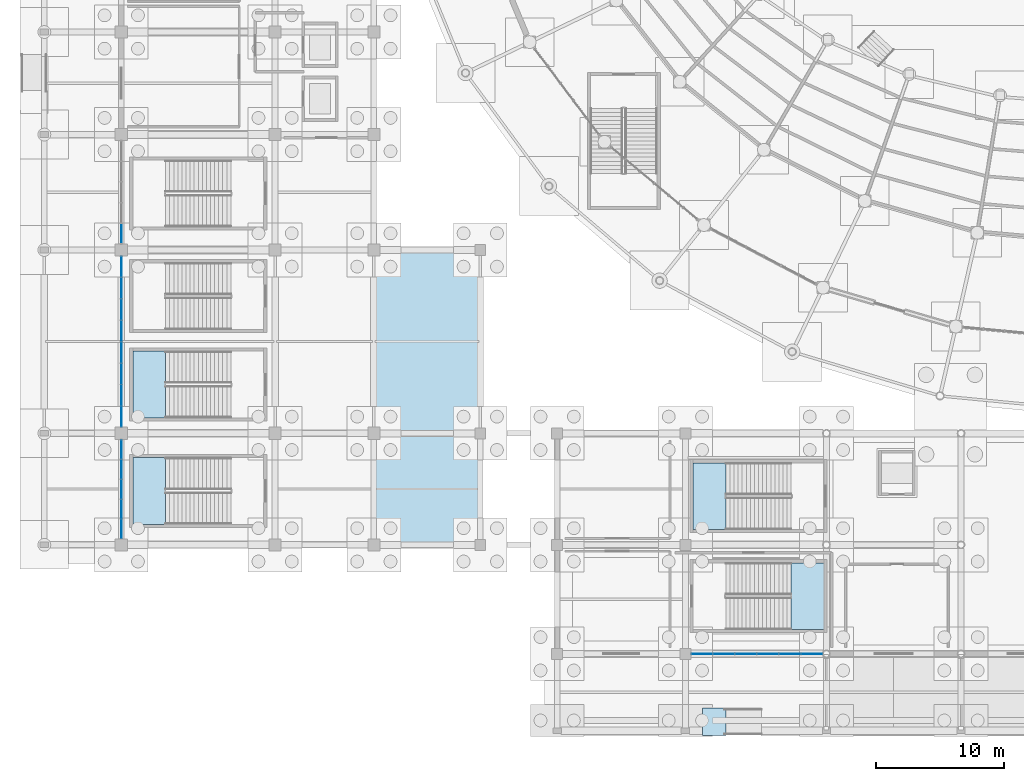
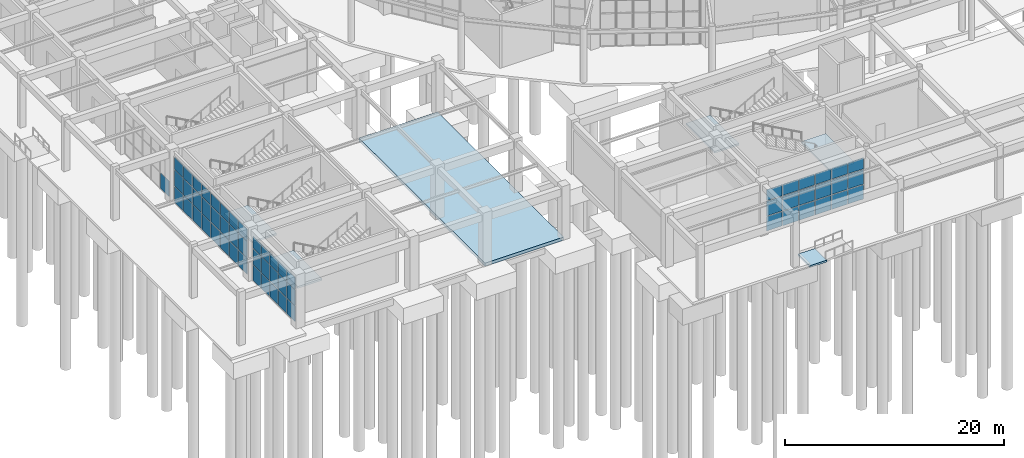
# One storey, part 63 of 121: 58 plates, 6 slabs, 9 elements without a shape of their own.
"""IFC4 building model written with IfcOpenShell, lengths in metres."""

from ifc_helpers import new_model, si_unit, direction, frame, origin, origin_2d, place, context, subcontext, project, spatial, polyline, rectangle, outline, extrude, material, layer, layer_set, type_object, element, aggregate, save


model = new_model("IFC4")

# Units and contexts
model_context = context("Model", 3, precision=1e-05, world=origin(), true_north=direction((0.0, 1.0)))
body_context = subcontext(model_context, "Body", "Model", "MODEL_VIEW")
ifc_project = project(units=[si_unit("LENGTHUNIT", "METRE"), si_unit("AREAUNIT", "SQUARE_METRE"), si_unit("VOLUMEUNIT", "CUBIC_METRE"), si_unit("PLANEANGLEUNIT", "RADIAN"), si_unit("MASSUNIT", "GRAM", prefix="KILO")], contexts=[model_context])

# Site, building, storey
site_placement = place(None, origin())
site = spatial("IfcSite", under=ifc_project, at=site_placement, CompositionType="ELEMENT")
building_placement = place(site_placement, origin())
building = spatial("IfcBuilding", under=site, at=building_placement, Name="Cuetzalor Civic Arena", CompositionType="ELEMENT")
storey_placement = place(building_placement, origin())
storey = spatial("IfcBuildingStorey", under=building, at=storey_placement, Name="L00", CompositionType="ELEMENT", Elevation=0.0)

# Curtain wall, plates
ifc_material_1 = material(Name="Anodised dark bronze aluminium and low-E solar glass", Category="aluminium")
curtain_wall_type_1 = type_object("IfcCurtainWallType", Name="UnitisedCW_7800x5050", PredefinedType="USERDEFINED", material=ifc_material_1)
curtain_wall_1_placement = place(storey_placement, origin())
curtain_wall_1 = element("IfcCurtainWall", 1, at=curtain_wall_1_placement, inside=storey, type_object=curtain_wall_type_1, Name="V4W Colonnade Curtain Wall L00-103", ObjectType="UNITISED CURTAIN WALL", PredefinedType="USERDEFINED")
ifc_material_2 = material(Name="Acoustic laminated solar control glass", Category="glass")
ifc_layer_1 = layer(ifc_material_2, 0.0439453125)
ifc_layer_set_1 = layer_set([ifc_layer_1], Name="Acoustic laminated solar control glass")
plate_type_1 = type_object("IfcPlateType", Name="AcousticTripleGlazedPanel_44", PredefinedType="CURTAIN_PANEL", material=ifc_layer_set_1)
plate_1_placement = place(storey_placement, frame((-76.0, -55.746826171875, 0.070068359375), z_axis=(0.0, 0.0, 1.0), x_axis=(0.0, 1.0, 0.0)))
plate_1 = element("IfcPlate", 2, at=plate_1_placement, type_object=plate_type_1, Name="CW-31 panel 1.1", PredefinedType="CURTAIN_PANEL", context=body_context, shape_type="SweptSolid", body=[
    extrude(rectangle(XDim=1.4521484375, YDim=0.0439453125, at=origin_2d()), origin(), (0.0, 0.0, 1.0), 1.708984375),
])
plate_2_placement = place(storey_placement, frame((-76.0, -55.746826171875, 1.848876953125), z_axis=(0.0, 0.0, 1.0), x_axis=(0.0, 1.0, 0.0)))
plate_2 = element("IfcPlate", 3, at=plate_2_placement, type_object=plate_type_1, Name="CW-31 panel 1.2", PredefinedType="CURTAIN_PANEL", context=body_context, shape_type="SweptSolid", body=[
    extrude(rectangle(XDim=1.4521484375, YDim=0.0439453125, at=origin_2d()), origin(), (0.0, 0.0, 1.0), 1.7451171875),
])
plate_3_placement = place(storey_placement, frame((-76.0, -55.746826171875, 3.6640625), z_axis=(0.0, 0.0, 1.0), x_axis=(0.0, 1.0, 0.0)))
plate_3 = element("IfcPlate", 4, at=plate_3_placement, type_object=plate_type_1, Name="CW-31 panel 1.3", PredefinedType="CURTAIN_PANEL", context=body_context, shape_type="SweptSolid", body=[
    extrude(rectangle(XDim=1.4521484375, YDim=0.0439453125, at=origin_2d()), origin(), (0.0, 0.0, 1.0), 1.305908203125),
])
plate_4_placement = place(storey_placement, frame((-76.0, -54.207275390625, 0.070068359375), z_axis=(0.0, 0.0, 1.0), x_axis=(0.0, 1.0, 0.0)))
plate_4 = element("IfcPlate", 5, at=plate_4_placement, type_object=plate_type_1, Name="CW-31 panel 2.1", PredefinedType="CURTAIN_PANEL", context=body_context, shape_type="SweptSolid", body=[
    extrude(rectangle(XDim=1.4873046875, YDim=0.0439453125, at=origin_2d()), origin(), (0.0, 0.0, 1.0), 1.708984375),
])
plate_5_placement = place(storey_placement, frame((-76.0, -54.207275390625, 1.848876953125), z_axis=(0.0, 0.0, 1.0), x_axis=(0.0, 1.0, 0.0)))
plate_5 = element("IfcPlate", 6, at=plate_5_placement, type_object=plate_type_1, Name="CW-31 panel 2.2", PredefinedType="CURTAIN_PANEL", context=body_context, shape_type="SweptSolid", body=[
    extrude(rectangle(XDim=1.4873046875, YDim=0.0439453125, at=origin_2d()), origin(), (0.0, 0.0, 1.0), 1.7451171875),
])
plate_6_placement = place(storey_placement, frame((-76.0, -54.207275390625, 3.6640625), z_axis=(0.0, 0.0, 1.0), x_axis=(0.0, 1.0, 0.0)))
plate_6 = element("IfcPlate", 7, at=plate_6_placement, type_object=plate_type_1, Name="CW-31 panel 2.3", PredefinedType="CURTAIN_PANEL", context=body_context, shape_type="SweptSolid", body=[
    extrude(rectangle(XDim=1.4873046875, YDim=0.0439453125, at=origin_2d()), origin(), (0.0, 0.0, 1.0), 1.305908203125),
])
plate_7_placement = place(storey_placement, frame((-76.0, -52.64990234375, 0.070068359375), z_axis=(0.0, 0.0, 1.0), x_axis=(0.0, 1.0, 0.0)))
plate_7 = element("IfcPlate", 8, at=plate_7_placement, type_object=plate_type_1, Name="CW-31 panel 3.1", PredefinedType="CURTAIN_PANEL", context=body_context, shape_type="SweptSolid", body=[
    extrude(rectangle(XDim=1.4873046875, YDim=0.0439453125, at=origin_2d()), origin(), (0.0, 0.0, 1.0), 1.708984375),
])
plate_8_placement = place(storey_placement, frame((-76.0, -52.64990234375, 1.848876953125), z_axis=(0.0, 0.0, 1.0), x_axis=(0.0, 1.0, 0.0)))
plate_8 = element("IfcPlate", 9, at=plate_8_placement, type_object=plate_type_1, Name="CW-31 panel 3.2", PredefinedType="CURTAIN_PANEL", context=body_context, shape_type="SweptSolid", body=[
    extrude(rectangle(XDim=1.4873046875, YDim=0.0439453125, at=origin_2d()), origin(), (0.0, 0.0, 1.0), 1.7451171875),
])
plate_9_placement = place(storey_placement, frame((-76.0, -52.64990234375, 3.6640625), z_axis=(0.0, 0.0, 1.0), x_axis=(0.0, 1.0, 0.0)))
plate_9 = element("IfcPlate", 10, at=plate_9_placement, type_object=plate_type_1, Name="CW-31 panel 3.3", PredefinedType="CURTAIN_PANEL", context=body_context, shape_type="SweptSolid", body=[
    extrude(rectangle(XDim=1.4873046875, YDim=0.0439453125, at=origin_2d()), origin(), (0.0, 0.0, 1.0), 1.305908203125),
])
plate_10_placement = place(storey_placement, frame((-76.0, -51.0927734375, 0.070068359375), z_axis=(0.0, 0.0, 1.0), x_axis=(0.0, 1.0, 0.0)))
plate_10 = element("IfcPlate", 11, at=plate_10_placement, type_object=plate_type_1, Name="CW-31 panel 4.1", PredefinedType="CURTAIN_PANEL", context=body_context, shape_type="SweptSolid", body=[
    extrude(rectangle(XDim=1.4873046875, YDim=0.0439453125, at=origin_2d()), origin(), (0.0, 0.0, 1.0), 1.708984375),
])
plate_11_placement = place(storey_placement, frame((-76.0, -51.0927734375, 1.848876953125), z_axis=(0.0, 0.0, 1.0), x_axis=(0.0, 1.0, 0.0)))
plate_11 = element("IfcPlate", 12, at=plate_11_placement, type_object=plate_type_1, Name="CW-31 panel 4.2", PredefinedType="CURTAIN_PANEL", context=body_context, shape_type="SweptSolid", body=[
    extrude(rectangle(XDim=1.4873046875, YDim=0.0439453125, at=origin_2d()), origin(), (0.0, 0.0, 1.0), 1.7451171875),
])
plate_12_placement = place(storey_placement, frame((-76.0, -51.0927734375, 3.6640625), z_axis=(0.0, 0.0, 1.0), x_axis=(0.0, 1.0, 0.0)))
plate_12 = element("IfcPlate", 13, at=plate_12_placement, type_object=plate_type_1, Name="CW-31 panel 4.3", PredefinedType="CURTAIN_PANEL", context=body_context, shape_type="SweptSolid", body=[
    extrude(rectangle(XDim=1.4873046875, YDim=0.0439453125, at=origin_2d()), origin(), (0.0, 0.0, 1.0), 1.305908203125),
])
plate_13_placement = place(storey_placement, frame((-76.0, -49.552978515625, 0.070068359375), z_axis=(0.0, 0.0, 1.0), x_axis=(0.0, 1.0, 0.0)))
plate_13 = element("IfcPlate", 14, at=plate_13_placement, type_object=plate_type_1, Name="CW-31 panel 5.1", PredefinedType="CURTAIN_PANEL", context=body_context, shape_type="SweptSolid", body=[
    extrude(rectangle(XDim=1.4521484375, YDim=0.0439453125, at=origin_2d()), origin(), (0.0, 0.0, 1.0), 1.708984375),
])
plate_14_placement = place(storey_placement, frame((-76.0, -49.552978515625, 1.848876953125), z_axis=(0.0, 0.0, 1.0), x_axis=(0.0, 1.0, 0.0)))
plate_14 = element("IfcPlate", 15, at=plate_14_placement, type_object=plate_type_1, Name="CW-31 panel 5.2", PredefinedType="CURTAIN_PANEL", context=body_context, shape_type="SweptSolid", body=[
    extrude(rectangle(XDim=1.4521484375, YDim=0.0439453125, at=origin_2d()), origin(), (0.0, 0.0, 1.0), 1.7451171875),
])
plate_15_placement = place(storey_placement, frame((-76.0, -49.552978515625, 3.6640625), z_axis=(0.0, 0.0, 1.0), x_axis=(0.0, 1.0, 0.0)))
plate_15 = element("IfcPlate", 16, at=plate_15_placement, type_object=plate_type_1, Name="CW-31 panel 5.3", PredefinedType="CURTAIN_PANEL", context=body_context, shape_type="SweptSolid", body=[
    extrude(rectangle(XDim=1.4521484375, YDim=0.0439453125, at=origin_2d()), origin(), (0.0, 0.0, 1.0), 1.305908203125),
])
aggregate(curtain_wall_1, [plate_1, plate_2, plate_3, plate_4, plate_5, plate_6, plate_7, plate_8, plate_9, plate_10, plate_11, plate_12, plate_13, plate_14, plate_15])

ifc_material_3 = material(Name="Anodised dark bronze aluminium and low-E solar glass", Category="aluminium")
curtain_wall_type_2 = type_object("IfcCurtainWallType", Name="UnitisedCW_13400x5150", PredefinedType="USERDEFINED", material=ifc_material_3)
curtain_wall_2_placement = place(storey_placement, origin())
curtain_wall_2 = element("IfcCurtainWall", 17, at=curtain_wall_2_placement, inside=storey, type_object=curtain_wall_type_2, Name="V4W Colonnade Curtain Wall L00-104", ObjectType="UNITISED CURTAIN WALL", PredefinedType="USERDEFINED")
plate_16_placement = place(storey_placement, frame((-76.0, -46.98876953125, 0.070068359375), z_axis=(0.0, 0.0, 1.0), x_axis=(0.0, 1.0, 0.0)))
plate_16 = element("IfcPlate", 18, at=plate_16_placement, type_object=plate_type_1, Name="CW-32 panel 1.1", PredefinedType="CURTAIN_PANEL", context=body_context, shape_type="SweptSolid", body=[
    extrude(rectangle(XDim=1.568359375, YDim=0.0439453125, at=origin_2d()), origin(), (0.0, 0.0, 1.0), 1.751953125),
])
plate_17_placement = place(storey_placement, frame((-76.0, -46.98876953125, 1.89208984375), z_axis=(0.0, 0.0, 1.0), x_axis=(0.0, 1.0, 0.0)))
plate_17 = element("IfcPlate", 19, at=plate_17_placement, type_object=plate_type_1, Name="CW-32 panel 1.2", PredefinedType="CURTAIN_PANEL", context=body_context, shape_type="SweptSolid", body=[
    extrude(rectangle(XDim=1.568359375, YDim=0.0439453125, at=origin_2d()), origin(), (0.0, 0.0, 1.0), 1.785888671875),
])
plate_18_placement = place(storey_placement, frame((-76.0, -46.98876953125, 3.748046875), z_axis=(0.0, 0.0, 1.0), x_axis=(0.0, 1.0, 0.0)))
plate_18 = element("IfcPlate", 20, at=plate_18_placement, type_object=plate_type_1, Name="CW-32 panel 1.3", PredefinedType="CURTAIN_PANEL", context=body_context, shape_type="SweptSolid", body=[
    extrude(rectangle(XDim=1.568359375, YDim=0.0439453125, at=origin_2d()), origin(), (0.0, 0.0, 1.0), 1.339111328125),
])
plate_19_placement = place(storey_placement, frame((-76.0, -45.3330078125, 0.070068359375), z_axis=(0.0, 0.0, 1.0), x_axis=(0.0, 1.0, 0.0)))
plate_19 = element("IfcPlate", 21, at=plate_19_placement, type_object=plate_type_1, Name="CW-32 panel 2.1", PredefinedType="CURTAIN_PANEL", context=body_context, shape_type="SweptSolid", body=[
    extrude(rectangle(XDim=1.603271484375, YDim=0.0439453125, at=origin_2d()), origin(), (0.0, 0.0, 1.0), 1.751953125),
])
plate_20_placement = place(storey_placement, frame((-76.0, -45.3330078125, 1.89208984375), z_axis=(0.0, 0.0, 1.0), x_axis=(0.0, 1.0, 0.0)))
plate_20 = element("IfcPlate", 22, at=plate_20_placement, type_object=plate_type_1, Name="CW-32 panel 2.2", PredefinedType="CURTAIN_PANEL", context=body_context, shape_type="SweptSolid", body=[
    extrude(rectangle(XDim=1.603271484375, YDim=0.0439453125, at=origin_2d()), origin(), (0.0, 0.0, 1.0), 1.785888671875),
])
plate_21_placement = place(storey_placement, frame((-76.0, -45.3330078125, 3.748046875), z_axis=(0.0, 0.0, 1.0), x_axis=(0.0, 1.0, 0.0)))
plate_21 = element("IfcPlate", 23, at=plate_21_placement, type_object=plate_type_1, Name="CW-32 panel 2.3", PredefinedType="CURTAIN_PANEL", context=body_context, shape_type="SweptSolid", body=[
    extrude(rectangle(XDim=1.603271484375, YDim=0.0439453125, at=origin_2d()), origin(), (0.0, 0.0, 1.0), 1.339111328125),
])
plate_22_placement = place(storey_placement, frame((-76.0, -43.659912109375, 0.070068359375), z_axis=(0.0, 0.0, 1.0), x_axis=(0.0, 1.0, 0.0)))
plate_22 = element("IfcPlate", 24, at=plate_22_placement, type_object=plate_type_1, Name="CW-32 panel 3.1", PredefinedType="CURTAIN_PANEL", context=body_context, shape_type="SweptSolid", body=[
    extrude(rectangle(XDim=1.603271484375, YDim=0.0439453125, at=origin_2d()), origin(), (0.0, 0.0, 1.0), 1.751953125),
])
plate_23_placement = place(storey_placement, frame((-76.0, -43.659912109375, 1.89208984375), z_axis=(0.0, 0.0, 1.0), x_axis=(0.0, 1.0, 0.0)))
plate_23 = element("IfcPlate", 25, at=plate_23_placement, type_object=plate_type_1, Name="CW-32 panel 3.2", PredefinedType="CURTAIN_PANEL", context=body_context, shape_type="SweptSolid", body=[
    extrude(rectangle(XDim=1.603271484375, YDim=0.0439453125, at=origin_2d()), origin(), (0.0, 0.0, 1.0), 1.785888671875),
])
plate_24_placement = place(storey_placement, frame((-76.0, -43.659912109375, 3.748046875), z_axis=(0.0, 0.0, 1.0), x_axis=(0.0, 1.0, 0.0)))
plate_24 = element("IfcPlate", 26, at=plate_24_placement, type_object=plate_type_1, Name="CW-32 panel 3.3", PredefinedType="CURTAIN_PANEL", context=body_context, shape_type="SweptSolid", body=[
    extrude(rectangle(XDim=1.603271484375, YDim=0.0439453125, at=origin_2d()), origin(), (0.0, 0.0, 1.0), 1.339111328125),
])
plate_25_placement = place(storey_placement, frame((-76.0, -41.986572265625, 0.070068359375), z_axis=(0.0, 0.0, 1.0), x_axis=(0.0, 1.0, 0.0)))
plate_25 = element("IfcPlate", 27, at=plate_25_placement, type_object=plate_type_1, Name="CW-32 panel 4.1", PredefinedType="CURTAIN_PANEL", context=body_context, shape_type="SweptSolid", body=[
    extrude(rectangle(XDim=1.603271484375, YDim=0.0439453125, at=origin_2d()), origin(), (0.0, 0.0, 1.0), 1.751953125),
])
plate_26_placement = place(storey_placement, frame((-76.0, -41.986572265625, 1.89208984375), z_axis=(0.0, 0.0, 1.0), x_axis=(0.0, 1.0, 0.0)))
plate_26 = element("IfcPlate", 28, at=plate_26_placement, type_object=plate_type_1, Name="CW-32 panel 4.2", PredefinedType="CURTAIN_PANEL", context=body_context, shape_type="SweptSolid", body=[
    extrude(rectangle(XDim=1.603271484375, YDim=0.0439453125, at=origin_2d()), origin(), (0.0, 0.0, 1.0), 1.785888671875),
])
plate_27_placement = place(storey_placement, frame((-76.0, -41.986572265625, 3.748046875), z_axis=(0.0, 0.0, 1.0), x_axis=(0.0, 1.0, 0.0)))
plate_27 = element("IfcPlate", 29, at=plate_27_placement, type_object=plate_type_1, Name="CW-32 panel 4.3", PredefinedType="CURTAIN_PANEL", context=body_context, shape_type="SweptSolid", body=[
    extrude(rectangle(XDim=1.603271484375, YDim=0.0439453125, at=origin_2d()), origin(), (0.0, 0.0, 1.0), 1.339111328125),
])
plate_28_placement = place(storey_placement, frame((-76.0, -40.3134765625, 0.070068359375), z_axis=(0.0, 0.0, 1.0), x_axis=(0.0, 1.0, 0.0)))
plate_28 = element("IfcPlate", 30, at=plate_28_placement, type_object=plate_type_1, Name="CW-32 panel 5.1", PredefinedType="CURTAIN_PANEL", context=body_context, shape_type="SweptSolid", body=[
    extrude(rectangle(XDim=1.603271484375, YDim=0.0439453125, at=origin_2d()), origin(), (0.0, 0.0, 1.0), 1.751953125),
])
plate_29_placement = place(storey_placement, frame((-76.0, -40.3134765625, 1.89208984375), z_axis=(0.0, 0.0, 1.0), x_axis=(0.0, 1.0, 0.0)))
plate_29 = element("IfcPlate", 31, at=plate_29_placement, type_object=plate_type_1, Name="CW-32 panel 5.2", PredefinedType="CURTAIN_PANEL", context=body_context, shape_type="SweptSolid", body=[
    extrude(rectangle(XDim=1.603271484375, YDim=0.0439453125, at=origin_2d()), origin(), (0.0, 0.0, 1.0), 1.785888671875),
])
plate_30_placement = place(storey_placement, frame((-76.0, -40.3134765625, 3.748046875), z_axis=(0.0, 0.0, 1.0), x_axis=(0.0, 1.0, 0.0)))
plate_30 = element("IfcPlate", 32, at=plate_30_placement, type_object=plate_type_1, Name="CW-32 panel 5.3", PredefinedType="CURTAIN_PANEL", context=body_context, shape_type="SweptSolid", body=[
    extrude(rectangle(XDim=1.603271484375, YDim=0.0439453125, at=origin_2d()), origin(), (0.0, 0.0, 1.0), 1.339111328125),
])
plate_31_placement = place(storey_placement, frame((-76.0, -38.64013671875, 0.070068359375), z_axis=(0.0, 0.0, 1.0), x_axis=(0.0, 1.0, 0.0)))
plate_31 = element("IfcPlate", 33, at=plate_31_placement, type_object=plate_type_1, Name="CW-32 panel 6.1", PredefinedType="CURTAIN_PANEL", context=body_context, shape_type="SweptSolid", body=[
    extrude(rectangle(XDim=1.603271484375, YDim=0.0439453125, at=origin_2d()), origin(), (0.0, 0.0, 1.0), 1.751953125),
])
plate_32_placement = place(storey_placement, frame((-76.0, -38.64013671875, 1.89208984375), z_axis=(0.0, 0.0, 1.0), x_axis=(0.0, 1.0, 0.0)))
plate_32 = element("IfcPlate", 34, at=plate_32_placement, type_object=plate_type_1, Name="CW-32 panel 6.2", PredefinedType="CURTAIN_PANEL", context=body_context, shape_type="SweptSolid", body=[
    extrude(rectangle(XDim=1.603271484375, YDim=0.0439453125, at=origin_2d()), origin(), (0.0, 0.0, 1.0), 1.785888671875),
])
plate_33_placement = place(storey_placement, frame((-76.0, -38.64013671875, 3.748046875), z_axis=(0.0, 0.0, 1.0), x_axis=(0.0, 1.0, 0.0)))
plate_33 = element("IfcPlate", 35, at=plate_33_placement, type_object=plate_type_1, Name="CW-32 panel 6.3", PredefinedType="CURTAIN_PANEL", context=body_context, shape_type="SweptSolid", body=[
    extrude(rectangle(XDim=1.603271484375, YDim=0.0439453125, at=origin_2d()), origin(), (0.0, 0.0, 1.0), 1.339111328125),
])
plate_34_placement = place(storey_placement, frame((-76.0, -36.966796875, 0.070068359375), z_axis=(0.0, 0.0, 1.0), x_axis=(0.0, 1.0, 0.0)))
plate_34 = element("IfcPlate", 36, at=plate_34_placement, type_object=plate_type_1, Name="CW-32 panel 7.1", PredefinedType="CURTAIN_PANEL", context=body_context, shape_type="SweptSolid", body=[
    extrude(rectangle(XDim=1.603271484375, YDim=0.0439453125, at=origin_2d()), origin(), (0.0, 0.0, 1.0), 1.751953125),
])
plate_35_placement = place(storey_placement, frame((-76.0, -36.966796875, 1.89208984375), z_axis=(0.0, 0.0, 1.0), x_axis=(0.0, 1.0, 0.0)))
plate_35 = element("IfcPlate", 37, at=plate_35_placement, type_object=plate_type_1, Name="CW-32 panel 7.2", PredefinedType="CURTAIN_PANEL", context=body_context, shape_type="SweptSolid", body=[
    extrude(rectangle(XDim=1.603271484375, YDim=0.0439453125, at=origin_2d()), origin(), (0.0, 0.0, 1.0), 1.785888671875),
])
plate_36_placement = place(storey_placement, frame((-76.0, -36.966796875, 3.748046875), z_axis=(0.0, 0.0, 1.0), x_axis=(0.0, 1.0, 0.0)))
plate_36 = element("IfcPlate", 38, at=plate_36_placement, type_object=plate_type_1, Name="CW-32 panel 7.3", PredefinedType="CURTAIN_PANEL", context=body_context, shape_type="SweptSolid", body=[
    extrude(rectangle(XDim=1.603271484375, YDim=0.0439453125, at=origin_2d()), origin(), (0.0, 0.0, 1.0), 1.339111328125),
])
plate_37_placement = place(storey_placement, frame((-76.0, -35.31103515625, 0.070068359375), z_axis=(0.0, 0.0, 1.0), x_axis=(0.0, 1.0, 0.0)))
plate_37 = element("IfcPlate", 39, at=plate_37_placement, type_object=plate_type_1, Name="CW-32 panel 8.1", PredefinedType="CURTAIN_PANEL", context=body_context, shape_type="SweptSolid", body=[
    extrude(rectangle(XDim=1.568359375, YDim=0.0439453125, at=origin_2d()), origin(), (0.0, 0.0, 1.0), 1.751953125),
])
plate_38_placement = place(storey_placement, frame((-76.0, -35.31103515625, 1.89208984375), z_axis=(0.0, 0.0, 1.0), x_axis=(0.0, 1.0, 0.0)))
plate_38 = element("IfcPlate", 40, at=plate_38_placement, type_object=plate_type_1, Name="CW-32 panel 8.2", PredefinedType="CURTAIN_PANEL", context=body_context, shape_type="SweptSolid", body=[
    extrude(rectangle(XDim=1.568359375, YDim=0.0439453125, at=origin_2d()), origin(), (0.0, 0.0, 1.0), 1.785888671875),
])
plate_39_placement = place(storey_placement, frame((-76.0, -35.31103515625, 3.748046875), z_axis=(0.0, 0.0, 1.0), x_axis=(0.0, 1.0, 0.0)))
plate_39 = element("IfcPlate", 41, at=plate_39_placement, type_object=plate_type_1, Name="CW-32 panel 8.3", PredefinedType="CURTAIN_PANEL", context=body_context, shape_type="SweptSolid", body=[
    extrude(rectangle(XDim=1.568359375, YDim=0.0439453125, at=origin_2d()), origin(), (0.0, 0.0, 1.0), 1.339111328125),
])
aggregate(curtain_wall_2, [plate_16, plate_17, plate_18, plate_19, plate_20, plate_21, plate_22, plate_23, plate_24, plate_25, plate_26, plate_27, plate_28, plate_29, plate_30, plate_31, plate_32, plate_33, plate_34, plate_35, plate_36, plate_37, plate_38, plate_39])

# Curtain wall, plate
ifc_material_4 = material(Name="Anodised dark bronze aluminium and low-E solar glass", Category="aluminium")
curtain_wall_type_3 = type_object("IfcCurtainWallType", Name="UnitisedCW_8100x5050", PredefinedType="USERDEFINED", material=ifc_material_4)
curtain_wall_3_placement = place(storey_placement, origin())
curtain_wall_3 = element("IfcCurtainWall", 42, at=curtain_wall_3_placement, inside=storey, type_object=curtain_wall_type_3, Name="V4W Colonnade Curtain Wall L00-105", ObjectType="UNITISED CURTAIN WALL", PredefinedType="USERDEFINED")
plate_40_placement = place(storey_placement, frame((-76.0, -32.716796875, 0.070068359375), z_axis=(0.0, 0.0, 1.0), x_axis=(0.0, 1.0, 0.0)))
plate_40 = element("IfcPlate", 43, at=plate_40_placement, type_object=plate_type_1, Name="CW-33 panel 1.1", PredefinedType="CURTAIN_PANEL", context=body_context, shape_type="SweptSolid", body=[
    extrude(rectangle(XDim=1.51220703125, YDim=0.0439453125, at=origin_2d()), origin(), (0.0, 0.0, 1.0), 1.708984375),
])
aggregate(curtain_wall_3, [plate_40])

# Slab
ifc_material_5 = material(Name="Concrete C35/45", Category="concrete")
ifc_layer_2 = layer(ifc_material_5, 0.35009765625)
ifc_layer_set_2 = layer_set([ifc_layer_2], Name="Concrete C35/45")
slab_type_1 = type_object("IfcSlabType", Name="GroundBaseSlab_350", PredefinedType="BASESLAB", material=ifc_layer_set_2)
slab_1_placement = place(storey_placement, frame((0.0, 0.0, -0.35009765625)))
element("IfcSlab", 44, at=slab_1_placement, inside=storey, type_object=slab_type_1, Name="V4W South Return Ground Base Slab", PredefinedType="BASESLAB", context=body_context, shape_type="SweptSolid", body=[
    extrude(outline(polyline([(-56.300048828125, -57.0), (-48.0, -57.0), (-48.0, -34.0), (-56.300048828125, -34.0), (-56.300048828125, -57.0)])), origin(), (0.0, 0.0, 1.0), 0.35009765625),
])

# Curtain wall, plates
ifc_material_6 = material(Name="Anodised dark bronze aluminium and low-E solar glass", Category="aluminium")
curtain_wall_type_4 = type_object("IfcCurtainWallType", Name="StickCW_10350x4750", PredefinedType="USERDEFINED", material=ifc_material_6)
curtain_wall_4_placement = place(storey_placement, origin())
curtain_wall_4 = element("IfcCurtainWall", 45, at=curtain_wall_4_placement, inside=storey, type_object=curtain_wall_type_4, Name="South Foyer Arcade Curtain Wall L00-081", ObjectType="STICK CURTAIN WALL", PredefinedType="USERDEFINED")
ifc_material_7 = material(Name="Low-E laminated solar control glass", Category="glass")
ifc_layer_3 = layer(ifc_material_7, 0.031982421875)
ifc_layer_set_3 = layer_set([ifc_layer_3], Name="Low-E laminated solar control glass")
plate_type_2 = type_object("IfcPlateType", Name="SolarControlGlazedPanel_32", PredefinedType="CURTAIN_PANEL", material=ifc_layer_set_3)
plate_41_placement = place(storey_placement, frame((-22.139892578125, -65.5, 0.070068359375), z_axis=(0.0, 0.0, 1.0), x_axis=(-1.0, 0.0, 0.0)))
plate_41 = element("IfcPlate", 46, at=plate_41_placement, type_object=plate_type_2, Name="CW-24 panel 1.1", PredefinedType="CURTAIN_PANEL", context=body_context, shape_type="SweptSolid", body=[
    extrude(rectangle(XDim=1.616943359375, YDim=0.031982421875, at=origin_2d()), origin(), (0.0, 0.0, 1.0), 1.60107421875),
])
plate_42_placement = place(storey_placement, frame((-22.139892578125, -65.5, 1.7412109375), z_axis=(0.0, 0.0, 1.0), x_axis=(-1.0, 0.0, 0.0)))
plate_42 = element("IfcPlate", 47, at=plate_42_placement, type_object=plate_type_2, Name="CW-24 panel 1.2", PredefinedType="CURTAIN_PANEL", context=body_context, shape_type="SweptSolid", body=[
    extrude(rectangle(XDim=1.616943359375, YDim=0.031982421875, at=origin_2d()), origin(), (0.0, 0.0, 1.0), 1.636962890625),
])
plate_43_placement = place(storey_placement, frame((-22.139892578125, -65.5, 3.4482421875), z_axis=(0.0, 0.0, 1.0), x_axis=(-1.0, 0.0, 0.0)))
plate_43 = element("IfcPlate", 48, at=plate_43_placement, type_object=plate_type_2, Name="CW-24 panel 1.3", PredefinedType="CURTAIN_PANEL", context=body_context, shape_type="SweptSolid", body=[
    extrude(rectangle(XDim=1.616943359375, YDim=0.031982421875, at=origin_2d()), origin(), (0.0, 0.0, 1.0), 1.221923828125),
])
plate_44_placement = place(storey_placement, frame((-23.844482421875, -65.5, 0.070068359375), z_axis=(0.0, 0.0, 1.0), x_axis=(-1.0, 0.0, 0.0)))
plate_44 = element("IfcPlate", 49, at=plate_44_placement, type_object=plate_type_2, Name="CW-24 panel 2.1", PredefinedType="CURTAIN_PANEL", context=body_context, shape_type="SweptSolid", body=[
    extrude(rectangle(XDim=1.65185546875, YDim=0.031982421875, at=origin_2d()), origin(), (0.0, 0.0, 1.0), 1.60107421875),
])
plate_45_placement = place(storey_placement, frame((-23.844482421875, -65.5, 1.7412109375), z_axis=(0.0, 0.0, 1.0), x_axis=(-1.0, 0.0, 0.0)))
plate_45 = element("IfcPlate", 50, at=plate_45_placement, type_object=plate_type_2, Name="CW-24 panel 2.2", PredefinedType="CURTAIN_PANEL", context=body_context, shape_type="SweptSolid", body=[
    extrude(rectangle(XDim=1.65185546875, YDim=0.031982421875, at=origin_2d()), origin(), (0.0, 0.0, 1.0), 1.636962890625),
])
plate_46_placement = place(storey_placement, frame((-23.844482421875, -65.5, 3.4482421875), z_axis=(0.0, 0.0, 1.0), x_axis=(-1.0, 0.0, 0.0)))
plate_46 = element("IfcPlate", 51, at=plate_46_placement, type_object=plate_type_2, Name="CW-24 panel 2.3", PredefinedType="CURTAIN_PANEL", context=body_context, shape_type="SweptSolid", body=[
    extrude(rectangle(XDim=1.65185546875, YDim=0.031982421875, at=origin_2d()), origin(), (0.0, 0.0, 1.0), 1.221923828125),
])
plate_47_placement = place(storey_placement, frame((-25.56640625, -65.5, 0.070068359375), z_axis=(0.0, 0.0, 1.0), x_axis=(-1.0, 0.0, 0.0)))
plate_47 = element("IfcPlate", 52, at=plate_47_placement, type_object=plate_type_2, Name="CW-24 panel 3.1", PredefinedType="CURTAIN_PANEL", context=body_context, shape_type="SweptSolid", body=[
    extrude(rectangle(XDim=1.65185546875, YDim=0.031982421875, at=origin_2d()), origin(), (0.0, 0.0, 1.0), 1.60107421875),
])
plate_48_placement = place(storey_placement, frame((-25.56640625, -65.5, 1.7412109375), z_axis=(0.0, 0.0, 1.0), x_axis=(-1.0, 0.0, 0.0)))
plate_48 = element("IfcPlate", 53, at=plate_48_placement, type_object=plate_type_2, Name="CW-24 panel 3.2", PredefinedType="CURTAIN_PANEL", context=body_context, shape_type="SweptSolid", body=[
    extrude(rectangle(XDim=1.65185546875, YDim=0.031982421875, at=origin_2d()), origin(), (0.0, 0.0, 1.0), 1.636962890625),
])
plate_49_placement = place(storey_placement, frame((-25.56640625, -65.5, 3.4482421875), z_axis=(0.0, 0.0, 1.0), x_axis=(-1.0, 0.0, 0.0)))
plate_49 = element("IfcPlate", 54, at=plate_49_placement, type_object=plate_type_2, Name="CW-24 panel 3.3", PredefinedType="CURTAIN_PANEL", context=body_context, shape_type="SweptSolid", body=[
    extrude(rectangle(XDim=1.65185546875, YDim=0.031982421875, at=origin_2d()), origin(), (0.0, 0.0, 1.0), 1.221923828125),
])
plate_50_placement = place(storey_placement, frame((-27.288330078125, -65.5, 0.070068359375), z_axis=(0.0, 0.0, 1.0), x_axis=(-1.0, 0.0, 0.0)))
plate_50 = element("IfcPlate", 55, at=plate_50_placement, type_object=plate_type_2, Name="CW-24 panel 4.1", PredefinedType="CURTAIN_PANEL", context=body_context, shape_type="SweptSolid", body=[
    extrude(rectangle(XDim=1.65185546875, YDim=0.031982421875, at=origin_2d()), origin(), (0.0, 0.0, 1.0), 1.60107421875),
])
plate_51_placement = place(storey_placement, frame((-27.288330078125, -65.5, 1.7412109375), z_axis=(0.0, 0.0, 1.0), x_axis=(-1.0, 0.0, 0.0)))
plate_51 = element("IfcPlate", 56, at=plate_51_placement, type_object=plate_type_2, Name="CW-24 panel 4.2", PredefinedType="CURTAIN_PANEL", context=body_context, shape_type="SweptSolid", body=[
    extrude(rectangle(XDim=1.65185546875, YDim=0.031982421875, at=origin_2d()), origin(), (0.0, 0.0, 1.0), 1.636962890625),
])
plate_52_placement = place(storey_placement, frame((-27.288330078125, -65.5, 3.4482421875), z_axis=(0.0, 0.0, 1.0), x_axis=(-1.0, 0.0, 0.0)))
plate_52 = element("IfcPlate", 57, at=plate_52_placement, type_object=plate_type_2, Name="CW-24 panel 4.3", PredefinedType="CURTAIN_PANEL", context=body_context, shape_type="SweptSolid", body=[
    extrude(rectangle(XDim=1.65185546875, YDim=0.031982421875, at=origin_2d()), origin(), (0.0, 0.0, 1.0), 1.221923828125),
])
plate_53_placement = place(storey_placement, frame((-29.010009765625, -65.5, 0.070068359375), z_axis=(0.0, 0.0, 1.0), x_axis=(-1.0, 0.0, 0.0)))
plate_53 = element("IfcPlate", 58, at=plate_53_placement, type_object=plate_type_2, Name="CW-24 panel 5.1", PredefinedType="CURTAIN_PANEL", context=body_context, shape_type="SweptSolid", body=[
    extrude(rectangle(XDim=1.65185546875, YDim=0.031982421875, at=origin_2d()), origin(), (0.0, 0.0, 1.0), 1.60107421875),
])
plate_54_placement = place(storey_placement, frame((-29.010009765625, -65.5, 1.7412109375), z_axis=(0.0, 0.0, 1.0), x_axis=(-1.0, 0.0, 0.0)))
plate_54 = element("IfcPlate", 59, at=plate_54_placement, type_object=plate_type_2, Name="CW-24 panel 5.2", PredefinedType="CURTAIN_PANEL", context=body_context, shape_type="SweptSolid", body=[
    extrude(rectangle(XDim=1.65185546875, YDim=0.031982421875, at=origin_2d()), origin(), (0.0, 0.0, 1.0), 1.636962890625),
])
plate_55_placement = place(storey_placement, frame((-29.010009765625, -65.5, 3.4482421875), z_axis=(0.0, 0.0, 1.0), x_axis=(-1.0, 0.0, 0.0)))
plate_55 = element("IfcPlate", 60, at=plate_55_placement, type_object=plate_type_2, Name="CW-24 panel 5.3", PredefinedType="CURTAIN_PANEL", context=body_context, shape_type="SweptSolid", body=[
    extrude(rectangle(XDim=1.65185546875, YDim=0.031982421875, at=origin_2d()), origin(), (0.0, 0.0, 1.0), 1.221923828125),
])
plate_56_placement = place(storey_placement, frame((-30.714599609375, -65.5, 0.070068359375), z_axis=(0.0, 0.0, 1.0), x_axis=(-1.0, 0.0, 0.0)))
plate_56 = element("IfcPlate", 61, at=plate_56_placement, type_object=plate_type_2, Name="CW-24 panel 6.1", PredefinedType="CURTAIN_PANEL", context=body_context, shape_type="SweptSolid", body=[
    extrude(rectangle(XDim=1.616943359375, YDim=0.031982421875, at=origin_2d()), origin(), (0.0, 0.0, 1.0), 1.60107421875),
])
plate_57_placement = place(storey_placement, frame((-30.714599609375, -65.5, 1.7412109375), z_axis=(0.0, 0.0, 1.0), x_axis=(-1.0, 0.0, 0.0)))
plate_57 = element("IfcPlate", 62, at=plate_57_placement, type_object=plate_type_2, Name="CW-24 panel 6.2", PredefinedType="CURTAIN_PANEL", context=body_context, shape_type="SweptSolid", body=[
    extrude(rectangle(XDim=1.616943359375, YDim=0.031982421875, at=origin_2d()), origin(), (0.0, 0.0, 1.0), 1.636962890625),
])
plate_58_placement = place(storey_placement, frame((-30.714599609375, -65.5, 3.4482421875), z_axis=(0.0, 0.0, 1.0), x_axis=(-1.0, 0.0, 0.0)))
plate_58 = element("IfcPlate", 63, at=plate_58_placement, type_object=plate_type_2, Name="CW-24 panel 6.3", PredefinedType="CURTAIN_PANEL", context=body_context, shape_type="SweptSolid", body=[
    extrude(rectangle(XDim=1.616943359375, YDim=0.031982421875, at=origin_2d()), origin(), (0.0, 0.0, 1.0), 1.221923828125),
])
aggregate(curtain_wall_4, [plate_41, plate_42, plate_43, plate_44, plate_45, plate_46, plate_47, plate_48, plate_49, plate_50, plate_51, plate_52, plate_53, plate_54, plate_55, plate_56, plate_57, plate_58])

# Stair, slab
ifc_material_8 = material(Name="Precast concrete C40/50", Category="concrete")
stair_type = type_object("IfcStairType", Name="EnclosedExitStair_H600", PredefinedType="HALF_TURN_STAIR", material=ifc_material_8)
stair_1_placement = place(storey_placement, origin())
stair_1 = element("IfcStair", 64, at=stair_1_placement, inside=storey, type_object=stair_type, Name="L00 Enclosed Exit Stair ST-09", PredefinedType="HALF_TURN_STAIR")
ifc_material_9 = material(Name="Concrete C40/50", Category="concrete")
ifc_layer_4 = layer(ifc_material_9, 0.199951171875)
ifc_layer_set_4 = layer_set([ifc_layer_4], Name="Concrete C40/50")
slab_type_2 = type_object("IfcSlabType", Name="StairHalfLandingSlab_200", PredefinedType="LANDING", material=ifc_layer_set_4)
slab_2_placement = place(storey_placement, frame((0.0, 0.0, 2.800048828125)))
slab_2 = element("IfcSlab", 65, at=slab_2_placement, type_object=slab_type_2, Name="ST-09 landing 1", PredefinedType="LANDING", context=body_context, shape_type="SweptSolid", body=[
    extrude(outline(polyline([(-23.761962890625, -63.60009765625), (-21.199951171875, -63.60009765625), (-21.199951171875, -58.39990234375), (-23.761962890625, -58.39990234375), (-23.761962890625, -63.60009765625)])), origin(), (0.0, 0.0, 1.0), 0.199951171875),
])
aggregate(stair_1, [slab_2])

stair_2_placement = place(storey_placement, origin())
stair_2 = element("IfcStair", 66, at=stair_2_placement, inside=storey, type_object=stair_type, Name="L00 Enclosed Exit Stair ST-10", PredefinedType="HALF_TURN_STAIR")
slab_3_placement = place(storey_placement, frame((0.0, 0.0, 2.800048828125)))
slab_3 = element("IfcSlab", 67, at=slab_3_placement, type_object=slab_type_2, Name="ST-10 landing 1", PredefinedType="LANDING", context=body_context, shape_type="SweptSolid", body=[
    extrude(outline(polyline([(-28.837890625, -50.60009765625), (-31.39990234375, -50.60009765625), (-31.39990234375, -55.800048828125), (-28.837890625, -55.800048828125), (-28.837890625, -50.60009765625)])), origin(), (0.0, 0.0, 1.0), 0.199951171875),
])
aggregate(stair_2, [slab_3])

stair_3_placement = place(storey_placement, origin())
stair_3 = element("IfcStair", 68, at=stair_3_placement, inside=storey, type_object=stair_type, Name="L00 Enclosed Exit Stair ST-13", PredefinedType="HALF_TURN_STAIR")
slab_4_placement = place(storey_placement, frame((0.0, 0.0, 2.800048828125)))
slab_4 = element("IfcSlab", 69, at=slab_4_placement, type_object=slab_type_2, Name="ST-13 landing 1", PredefinedType="LANDING", context=body_context, shape_type="SweptSolid", body=[
    extrude(outline(polyline([(-72.5380859375, -50.199951171875), (-75.10009765625, -50.199951171875), (-75.10009765625, -55.39990234375), (-72.5380859375, -55.39990234375), (-72.5380859375, -50.199951171875)])), origin(), (0.0, 0.0, 1.0), 0.199951171875),
])
aggregate(stair_3, [slab_4])

stair_4_placement = place(storey_placement, origin())
stair_4 = element("IfcStair", 70, at=stair_4_placement, inside=storey, type_object=stair_type, Name="L00 Enclosed Exit Stair ST-14", PredefinedType="HALF_TURN_STAIR")
slab_5_placement = place(storey_placement, frame((0.0, 0.0, 2.800048828125)))
slab_5 = element("IfcSlab", 71, at=slab_5_placement, type_object=slab_type_2, Name="ST-14 landing 1", PredefinedType="LANDING", context=body_context, shape_type="SweptSolid", body=[
    extrude(outline(polyline([(-72.5380859375, -41.89990234375), (-75.10009765625, -41.89990234375), (-75.10009765625, -47.10009765625), (-72.5380859375, -47.10009765625), (-72.5380859375, -41.89990234375)])), origin(), (0.0, 0.0, 1.0), 0.199951171875),
])
aggregate(stair_4, [slab_5])

# Ramp, slab
ifc_material_10 = material(Name="Concrete C35/45 bush-hammered", Category="concrete")
ramp_type = type_object("IfcRampType", Name="AccessibleColonnadeRamp_1in12", PredefinedType="STRAIGHT_RUN_RAMP", material=ifc_material_10)
ramp_placement = place(storey_placement, origin())
ramp = element("IfcRamp", 72, at=ramp_placement, inside=storey, type_object=ramp_type, Name="Accessible Colonnade Plaza Ramp RMP-S1", PredefinedType="STRAIGHT_RUN_RAMP")
slab_6_placement = place(storey_placement, frame((0.0, 0.0, -0.43994140625)))
slab_6 = element("IfcSlab", 73, at=slab_6_placement, type_object=slab_type_2, Name="Accessible Colonnade Ramp Approach Landing RMP-S1", PredefinedType="LANDING", context=body_context, shape_type="SweptSolid", body=[
    extrude(outline(polyline([(-30.64990234375, -71.8798828125), (-28.85009765625, -71.8798828125), (-28.85009765625, -69.719970703125), (-30.64990234375, -69.719970703125), (-30.64990234375, -71.8798828125)])), origin(), (0.0, 0.0, 1.0), 0.199951171875),
])
aggregate(ramp, [slab_6])

save(model, "model.ifc")
